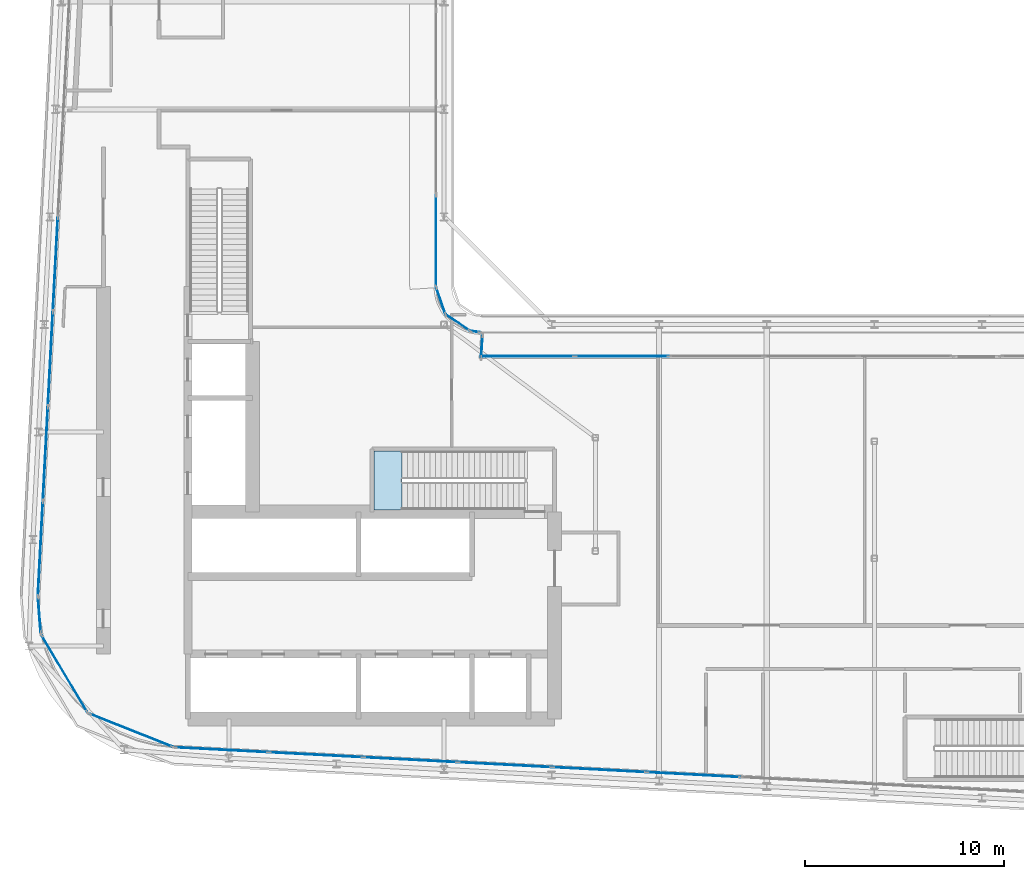
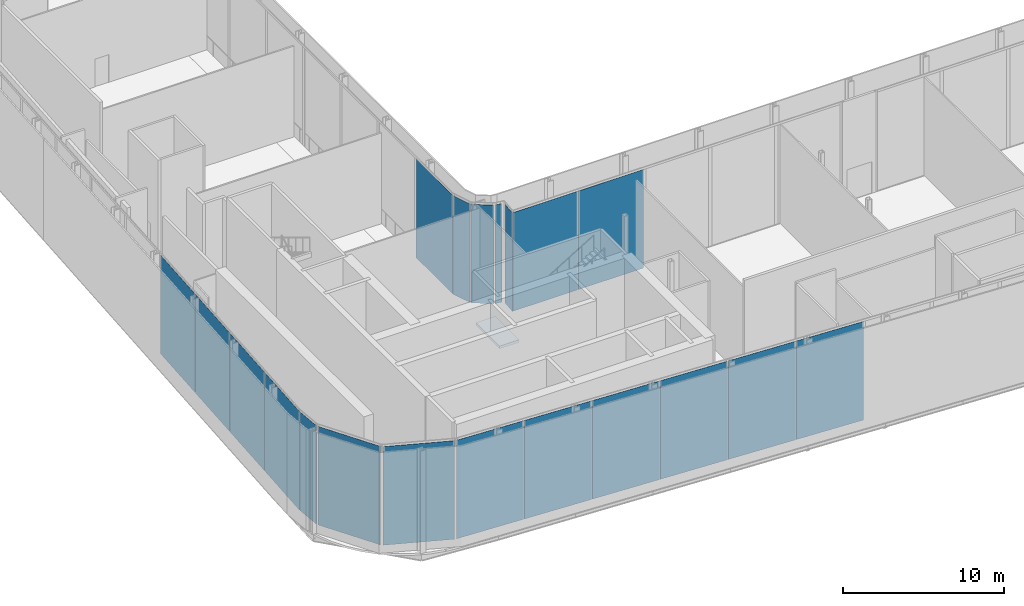
# One storey, part 22 of 38: 20 plates, 1 slab, 12 elements without a shape of their own.
"""IFC4 building model written with IfcOpenShell, lengths in metres."""

from ifc_helpers import new_model, si_unit, direction, frame, origin, origin_2d, place, context, subcontext, project, spatial, polyline, rectangle, outline, extrude, material, layer, layer_set, type_object, element, aggregate, save


model = new_model("IFC4")

# Units and contexts
model_context = context("Model", 3, precision=1e-05, world=origin(), true_north=direction((0.0, 1.0)))
body_context = subcontext(model_context, "Body", "Model", "MODEL_VIEW")
ifc_project = project(units=[si_unit("LENGTHUNIT", "METRE"), si_unit("AREAUNIT", "SQUARE_METRE"), si_unit("VOLUMEUNIT", "CUBIC_METRE"), si_unit("PLANEANGLEUNIT", "RADIAN"), si_unit("MASSUNIT", "GRAM", prefix="KILO")], contexts=[model_context])

# Site, building, storey
site_placement = place(None, origin())
site = spatial("IfcSite", under=ifc_project, at=site_placement, CompositionType="ELEMENT")
building_placement = place(site_placement, origin())
building = spatial("IfcBuilding", under=site, at=building_placement, Name="Kheshtan School and Residences Tower", CompositionType="ELEMENT")
storey_placement = place(building_placement, frame((0.0, 0.0, 203.300048828125)))
storey = spatial("IfcBuildingStorey", under=building, at=storey_placement, Name="L48", CompositionType="ELEMENT", Elevation=203.300048828125)

# Curtain wall, plates
ifc_material_1 = material(Name="Clear low-e glass in thermally broken aluminium frame", Category="aluminium")
ifc_layer_1 = layer(ifc_material_1, 0.25)
ifc_layer_set_1 = layer_set([ifc_layer_1], Name="Curtain wall CW-G")
curtain_wall_type_1 = type_object("IfcCurtainWallType", Name="Curtain wall CW-G", PredefinedType="NOTDEFINED", material=ifc_layer_set_1)
curtain_wall_1_placement = place(storey_placement, origin())
curtain_wall_1 = element("IfcCurtainWall", 1, at=curtain_wall_1_placement, inside=storey, type_object=curtain_wall_type_1, Name="Curtain wall CWG5", PredefinedType="NOTDEFINED")
ifc_layer_2 = layer(ifc_material_1, 0.0380859375)
ifc_layer_set_2 = layer_set([ifc_layer_2], Name="CW-G glass panel")
plate_type_1 = type_object("IfcPlateType", Name="CW-G glass panel", PredefinedType="CURTAIN_PANEL", material=ifc_layer_set_2)
plate_1_placement = place(storey_placement, frame((51.81640625, 44.0, 0.0), z_axis=(0.0, 0.0, 1.0), x_axis=(1.0, 0.0, 0.0)))
plate_1 = element("IfcPlate", 2, at=plate_1_placement, type_object=plate_type_1, Name="CWG5 panel 1.1", PredefinedType="CURTAIN_PANEL", context=body_context, shape_type="SweptSolid", body=[
    extrude(rectangle(XDim=4.647216796875, YDim=0.0380859375, at=origin_2d()), origin(), (0.0, 0.0, 1.0), 7.489990234375),
])
plate_2_placement = place(storey_placement, frame((56.5400390625, 44.0, 0.0), z_axis=(0.0, 0.0, 1.0), x_axis=(1.0, 0.0, 0.0)))
plate_2 = element("IfcPlate", 3, at=plate_2_placement, type_object=plate_type_1, Name="CWG5 panel 2.1", PredefinedType="CURTAIN_PANEL", context=body_context, shape_type="SweptSolid", body=[
    extrude(rectangle(XDim=4.679931640625, YDim=0.0380859375, at=origin_2d()), origin(), (0.0, 0.0, 1.0), 7.489990234375),
])
aggregate(curtain_wall_1, [plate_1, plate_2])

# Curtain wall, plate
ifc_layer_3 = layer(ifc_material_1, 0.25)
ifc_layer_set_3 = layer_set([ifc_layer_3], Name="Curtain wall CW-K")
curtain_wall_type_2 = type_object("IfcCurtainWallType", Name="Curtain wall CW-K", PredefinedType="NOTDEFINED", material=ifc_layer_set_3)
curtain_wall_2_placement = place(storey_placement, origin())
curtain_wall_2 = element("IfcCurtainWall", 4, at=curtain_wall_2_placement, inside=storey, type_object=curtain_wall_type_2, Name="Curtain wall CWK1", PredefinedType="NOTDEFINED")
ifc_layer_4 = layer(ifc_material_1, 0.0380859375)
ifc_layer_set_4 = layer_set([ifc_layer_4], Name="CW-K glass panel")
plate_type_2 = type_object("IfcPlateType", Name="CW-K glass panel", PredefinedType="CURTAIN_PANEL", material=ifc_layer_set_4)
plate_3_placement = place(storey_placement, frame((47.44140625, 46.78662109375, 0.0), z_axis=(0.0, 0.0, 1.0), x_axis=(0.326520252796, -0.945190205469, 0.0)))
plate_3 = element("IfcPlate", 5, at=plate_3_placement, type_object=plate_type_2, Name="CWK1 panel 1.1", PredefinedType="CURTAIN_PANEL", context=body_context, shape_type="SweptSolid", body=[
    extrude(rectangle(XDim=1.392822265625, YDim=0.0380859375, at=origin_2d()), origin(), (0.0, 0.0, 1.0), 7.489990234375),
])
aggregate(curtain_wall_2, [plate_3])

curtain_wall_3_placement = place(storey_placement, origin())
curtain_wall_3 = element("IfcCurtainWall", 6, at=curtain_wall_3_placement, inside=storey, type_object=curtain_wall_type_2, Name="Curtain wall CWK2", PredefinedType="NOTDEFINED")
plate_4_placement = place(storey_placement, frame((48.294677734375, 45.69091796875, 0.0), z_axis=(0.0, 0.0, 1.0), x_axis=(0.831352904033, -0.555744859586, 0.0)))
plate_4 = element("IfcPlate", 7, at=plate_4_placement, type_object=plate_type_2, Name="CWK2 panel 1.1", PredefinedType="CURTAIN_PANEL", context=body_context, shape_type="SweptSolid", body=[
    extrude(rectangle(XDim=1.419189453125, YDim=0.0380859375, at=origin_2d()), origin(), (0.0, 0.0, 1.0), 7.489990234375),
])
aggregate(curtain_wall_3, [plate_4])

curtain_wall_4_placement = place(storey_placement, origin())
curtain_wall_4 = element("IfcCurtainWall", 8, at=curtain_wall_4_placement, inside=storey, type_object=curtain_wall_type_2, Name="Curtain wall CWK3", PredefinedType="NOTDEFINED")
plate_5_placement = place(storey_placement, frame((49.166748046875, 45.240966796875, 0.0), z_axis=(0.0, 0.0, 1.0), x_axis=(0.990472214807, -0.137712714358, 0.0)))
plate_5 = element("IfcPlate", 9, at=plate_5_placement, type_object=plate_type_2, Name="CWK3 panel 1.1", PredefinedType="CURTAIN_PANEL", context=body_context, shape_type="SweptSolid", body=[
    extrude(rectangle(XDim=0.459716796875, YDim=0.0380859375, at=origin_2d()), origin(), (0.0, 0.0, 1.0), 7.489990234375),
])
aggregate(curtain_wall_4, [plate_5])

curtain_wall_5_placement = place(storey_placement, origin())
curtain_wall_5 = element("IfcCurtainWall", 10, at=curtain_wall_5_placement, inside=storey, type_object=curtain_wall_type_2, Name="Curtain wall CWK4", PredefinedType="NOTDEFINED")
plate_6_placement = place(storey_placement, frame((49.500244140625, 44.496826171875, 0.0), z_axis=(0.0, 0.0, 1.0), x_axis=(-0.065855059944, -0.997829199352, 0.0)))
plate_6 = element("IfcPlate", 11, at=plate_6_placement, type_object=plate_type_2, Name="CWK4 panel 1.1", PredefinedType="CURTAIN_PANEL", context=body_context, shape_type="SweptSolid", body=[
    extrude(rectangle(XDim=1.07958984375, YDim=0.0380859375, at=origin_2d()), origin(), (0.0, 0.0, 1.0), 7.489990234375),
])
aggregate(curtain_wall_5, [plate_6])

# Curtain wall, plates
curtain_wall_6_placement = place(storey_placement, origin())
curtain_wall_6 = element("IfcCurtainWall", 12, at=curtain_wall_6_placement, inside=storey, type_object=curtain_wall_type_2, Name="Curtain wall CWK14", PredefinedType="NOTDEFINED")
plate_7_placement = place(storey_placement, frame((60.135498046875, 23.00439453125, 0.0), z_axis=(0.0, 0.0, 1.0), x_axis=(-0.998617247391, 0.052569888839, 0.0)))
plate_7 = element("IfcPlate", 13, at=plate_7_placement, type_object=plate_type_2, Name="CWK14 panel 9.1", PredefinedType="CURTAIN_PANEL", context=body_context, shape_type="SweptSolid", body=[
    extrude(rectangle(XDim=4.6875, YDim=0.0380859375, at=origin_2d()), origin(), (0.0, 0.0, 1.0), 7.489990234375),
])
plate_8_placement = place(storey_placement, frame((55.39453125, 23.254150390625, 0.0), z_axis=(0.0, 0.0, 1.0), x_axis=(-0.998617247391, 0.052569888839, 0.0)))
plate_8 = element("IfcPlate", 14, at=plate_8_placement, type_object=plate_type_2, Name="CWK14 panel 10.1", PredefinedType="CURTAIN_PANEL", context=body_context, shape_type="SweptSolid", body=[
    extrude(rectangle(XDim=4.6875, YDim=0.0380859375, at=origin_2d()), origin(), (0.0, 0.0, 1.0), 7.489990234375),
])
plate_9_placement = place(storey_placement, frame((50.65380859375, 23.503662109375, 0.0), z_axis=(0.0, 0.0, 1.0), x_axis=(-0.998617247391, 0.052569888839, 0.0)))
plate_9 = element("IfcPlate", 15, at=plate_9_placement, type_object=plate_type_2, Name="CWK14 panel 11.1", PredefinedType="CURTAIN_PANEL", context=body_context, shape_type="SweptSolid", body=[
    extrude(rectangle(XDim=4.6875, YDim=0.0380859375, at=origin_2d()), origin(), (0.0, 0.0, 1.0), 7.489990234375),
])
plate_10_placement = place(storey_placement, frame((45.912841796875, 23.753173828125, 0.0), z_axis=(0.0, 0.0, 1.0), x_axis=(-0.998617247391, 0.052569888839, 0.0)))
plate_10 = element("IfcPlate", 16, at=plate_10_placement, type_object=plate_type_2, Name="CWK14 panel 12.1", PredefinedType="CURTAIN_PANEL", context=body_context, shape_type="SweptSolid", body=[
    extrude(rectangle(XDim=4.6875, YDim=0.0380859375, at=origin_2d()), origin(), (0.0, 0.0, 1.0), 7.489990234375),
])
plate_11_placement = place(storey_placement, frame((41.172119140625, 24.002685546875, 0.0), z_axis=(0.0, 0.0, 1.0), x_axis=(-0.998617247391, 0.052569888839, 0.0)))
plate_11 = element("IfcPlate", 17, at=plate_11_placement, type_object=plate_type_2, Name="CWK14 panel 13.1", PredefinedType="CURTAIN_PANEL", context=body_context, shape_type="SweptSolid", body=[
    extrude(rectangle(XDim=4.6875, YDim=0.0380859375, at=origin_2d()), origin(), (0.0, 0.0, 1.0), 7.489990234375),
])
plate_12_placement = place(storey_placement, frame((36.446044921875, 24.25146484375, 0.0), z_axis=(0.0, 0.0, 1.0), x_axis=(-0.998617247391, 0.052569888839, 0.0)))
plate_12 = element("IfcPlate", 18, at=plate_12_placement, type_object=plate_type_2, Name="CWK14 panel 14.1", PredefinedType="CURTAIN_PANEL", context=body_context, shape_type="SweptSolid", body=[
    extrude(rectangle(XDim=4.657470703125, YDim=0.0380859375, at=origin_2d()), origin(), (0.0, 0.0, 1.0), 7.489990234375),
])
aggregate(curtain_wall_6, [plate_7, plate_8, plate_9, plate_10, plate_11, plate_12])

# Curtain wall, plate
curtain_wall_7_placement = place(storey_placement, origin())
curtain_wall_7 = element("IfcCurtainWall", 19, at=curtain_wall_7_placement, inside=storey, type_object=curtain_wall_type_2, Name="Curtain wall CWK15", PredefinedType="NOTDEFINED")
plate_13_placement = place(storey_placement, frame((31.89501953125, 25.2314453125, 0.0), z_axis=(0.0, 0.0, 1.0), x_axis=(-0.929389950531, 0.369099336022, 0.0)))
plate_13 = element("IfcPlate", 20, at=plate_13_placement, type_object=plate_type_2, Name="CWK15 panel 1.1", PredefinedType="CURTAIN_PANEL", context=body_context, shape_type="SweptSolid", body=[
    extrude(rectangle(XDim=4.47216796875, YDim=0.0380859375, at=origin_2d()), origin(), (0.0, 0.0, 1.0), 7.489990234375),
])
aggregate(curtain_wall_7, [plate_13])

curtain_wall_8_placement = place(storey_placement, origin())
curtain_wall_8 = element("IfcCurtainWall", 21, at=curtain_wall_8_placement, inside=storey, type_object=curtain_wall_type_2, Name="Curtain wall CWK16", PredefinedType="NOTDEFINED")
plate_14_placement = place(storey_placement, frame((28.546142578125, 28.081787109375, 0.0), z_axis=(0.0, 0.0, 1.0), x_axis=(-0.511075392878, 0.85953588802, 0.0)))
plate_14 = element("IfcPlate", 22, at=plate_14_placement, type_object=plate_type_2, Name="CWK16 panel 1.1", PredefinedType="CURTAIN_PANEL", context=body_context, shape_type="SweptSolid", body=[
    extrude(rectangle(XDim=4.44287109375, YDim=0.0380859375, at=origin_2d()), origin(), (0.0, 0.0, 1.0), 7.489990234375),
])
aggregate(curtain_wall_8, [plate_14])

curtain_wall_9_placement = place(storey_placement, origin())
curtain_wall_9 = element("IfcCurtainWall", 23, at=curtain_wall_9_placement, inside=storey, type_object=curtain_wall_type_2, Name="Curtain wall CWK17", PredefinedType="NOTDEFINED")
plate_15_placement = place(storey_placement, frame((27.293212890625, 31.024658203125, 0.0), z_axis=(0.0, 0.0, 1.0), x_axis=(-0.077549452299, 0.996988506678, 0.0)))
plate_15 = element("IfcPlate", 24, at=plate_15_placement, type_object=plate_type_2, Name="CWK17 panel 1.1", PredefinedType="CURTAIN_PANEL", context=body_context, shape_type="SweptSolid", body=[
    extrude(rectangle(XDim=1.7626953125, YDim=0.0380859375, at=origin_2d()), origin(), (0.0, 0.0, 1.0), 7.489990234375),
])
aggregate(curtain_wall_9, [plate_15])

# Curtain wall, plates
curtain_wall_10_placement = place(storey_placement, origin())
curtain_wall_10 = element("IfcCurtainWall", 25, at=curtain_wall_10_placement, inside=storey, type_object=curtain_wall_type_2, Name="Curtain wall CWK18", PredefinedType="NOTDEFINED")
plate_16_placement = place(storey_placement, frame((27.343994140625, 34.3310546875, 0.0), z_axis=(0.0, 0.0, 1.0), x_axis=(0.05256513568, 0.998617497599, 0.0)))
plate_16 = element("IfcPlate", 26, at=plate_16_placement, type_object=plate_type_2, Name="CWK18 panel 1.1", PredefinedType="CURTAIN_PANEL", context=body_context, shape_type="SweptSolid", body=[
    extrude(rectangle(XDim=4.741455078125, YDim=0.0380859375, at=origin_2d()), origin(), (0.0, 0.0, 1.0), 7.489990234375),
])
plate_17_placement = place(storey_placement, frame((27.595458984375, 39.1044921875, 0.0), z_axis=(0.0, 0.0, 1.0), x_axis=(0.05256513568, 0.998617497599, 0.0)))
plate_17 = element("IfcPlate", 27, at=plate_17_placement, type_object=plate_type_2, Name="CWK18 panel 2.1", PredefinedType="CURTAIN_PANEL", context=body_context, shape_type="SweptSolid", body=[
    extrude(rectangle(XDim=4.69873046875, YDim=0.0380859375, at=origin_2d()), origin(), (0.0, 0.0, 1.0), 7.489990234375),
])
plate_18_placement = place(storey_placement, frame((27.845458984375, 43.856689453125, 0.0), z_axis=(0.0, 0.0, 1.0), x_axis=(0.05256513568, 0.998617497599, 0.0)))
plate_18 = element("IfcPlate", 28, at=plate_18_placement, type_object=plate_type_2, Name="CWK18 panel 3.1", PredefinedType="CURTAIN_PANEL", context=body_context, shape_type="SweptSolid", body=[
    extrude(rectangle(XDim=4.69873046875, YDim=0.0380859375, at=origin_2d()), origin(), (0.0, 0.0, 1.0), 7.489990234375),
])
plate_19_placement = place(storey_placement, frame((28.095703125, 48.608642578125, 0.0), z_axis=(0.0, 0.0, 1.0), x_axis=(0.05256513568, 0.998617497599, 0.0)))
plate_19 = element("IfcPlate", 29, at=plate_19_placement, type_object=plate_type_2, Name="CWK18 panel 4.1", PredefinedType="CURTAIN_PANEL", context=body_context, shape_type="SweptSolid", body=[
    extrude(rectangle(XDim=4.69873046875, YDim=0.0380859375, at=origin_2d()), origin(), (0.0, 0.0, 1.0), 7.489990234375),
])
aggregate(curtain_wall_10, [plate_16, plate_17, plate_18, plate_19])

# Curtain wall, plate
curtain_wall_11_placement = place(storey_placement, origin())
curtain_wall_11 = element("IfcCurtainWall", 30, at=curtain_wall_11_placement, inside=storey, type_object=curtain_wall_type_2, Name="Curtain wall CWK24", PredefinedType="NOTDEFINED")
plate_20_placement = place(storey_placement, frame((47.199951171875, 49.789306640625, 0.0), z_axis=(0.0, 0.0, 1.0), x_axis=(0.0, -1.0, 0.0)))
plate_20 = element("IfcPlate", 31, at=plate_20_placement, type_object=plate_type_2, Name="CWK24 panel 11.1", PredefinedType="CURTAIN_PANEL", context=body_context, shape_type="SweptSolid", body=[
    extrude(rectangle(XDim=4.572265625, YDim=0.0380859375, at=origin_2d()), origin(), (0.0, 0.0, 1.0), 7.489990234375),
])
aggregate(curtain_wall_11, [plate_20])

# Stair, slab
ifc_material_2 = material(Name="Concrete C40/50", Category="concrete")
stair_type = type_object("IfcStairType", Name="Exit stair, half-turn", PredefinedType="HALF_TURN_STAIR", material=ifc_material_2)
stair_placement = place(storey_placement, origin())
stair = element("IfcStair", 32, at=stair_placement, inside=storey, type_object=stair_type, Name="L48 Protected Exit Stair ST1", PredefinedType="HALF_TURN_STAIR")
ifc_layer_5 = layer(ifc_material_2, 0.199951171875)
ifc_layer_set_5 = layer_set([ifc_layer_5], Name="Stair landing 200 Concrete C40/50")
slab_type = type_object("IfcSlabType", Name="Stair landing 200 Concrete C40/50", PredefinedType="LANDING", material=ifc_layer_set_5)
slab_placement = place(storey_placement, frame((0.0, 0.0, 3.699951171875)))
slab = element("IfcSlab", 33, at=slab_placement, type_object=slab_type, Name="ST1 landing 1", PredefinedType="LANDING", context=body_context, shape_type="SweptSolid", body=[
    extrude(outline(polyline([(45.489990234375, 39.25), (44.090087890625, 39.25), (44.090087890625, 36.300048828125), (45.489990234375, 36.300048828125), (45.489990234375, 39.25)])), origin(), (0.0, 0.0, 1.0), 0.199951171875),
])
aggregate(stair, [slab])

save(model, "model.ifc")
